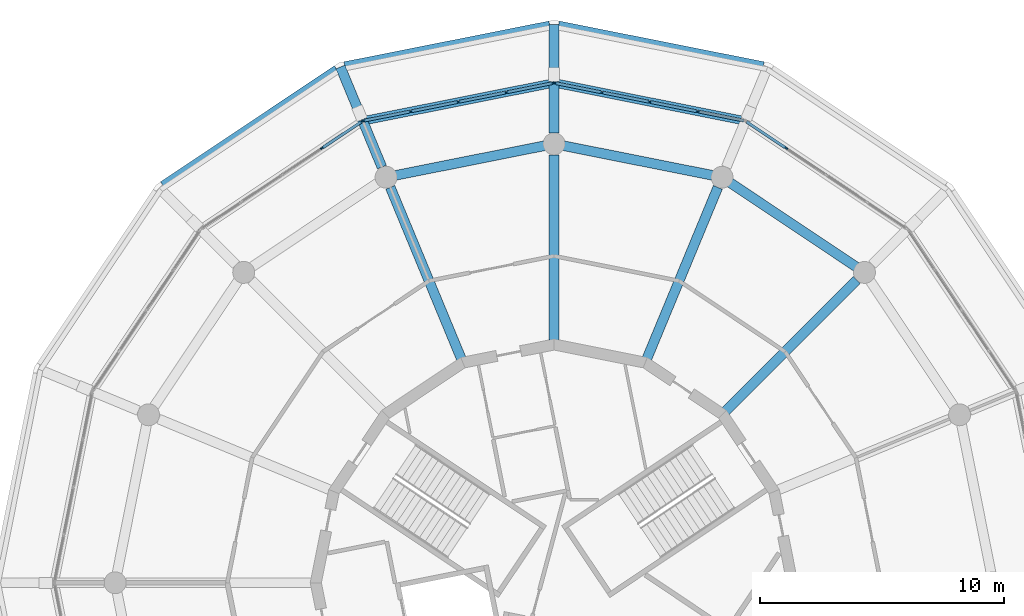
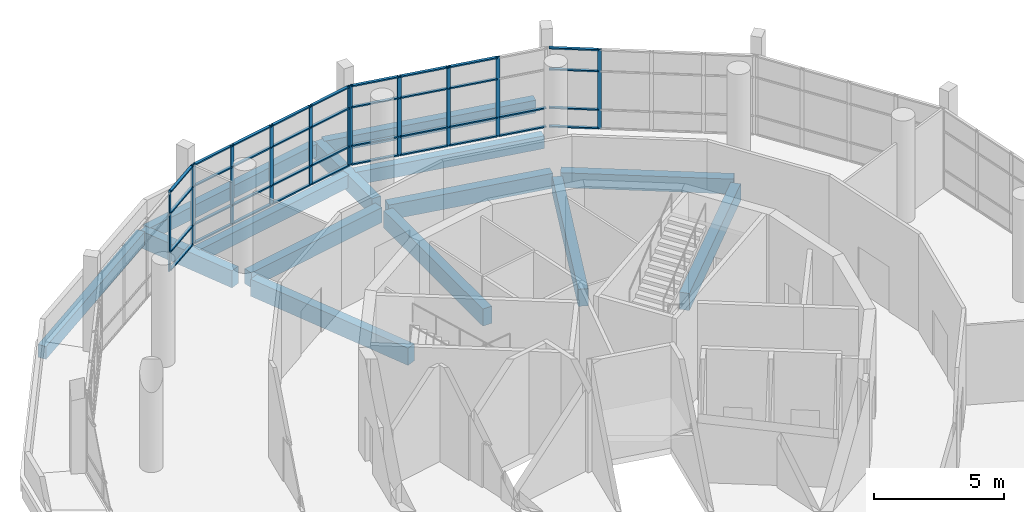
# One storey, part 9 of 21: 50 members, 14 beams, 4 elements without a shape of their own.
"""IFC4 building model written with IfcOpenShell, lengths in metres."""

from ifc_helpers import new_model, si_unit, direction, frame, origin, origin_2d, place, context, subcontext, project, spatial, rectangle, extrude, material, material_profile, profile_set, type_object, element, aggregate, save


model = new_model("IFC4")

# Units and contexts
model_context = context("Model", 3, precision=1e-05, world=origin(), true_north=direction((0.0, 1.0)))
body_context = subcontext(model_context, "Body", "Model", "MODEL_VIEW")
ifc_project = project(units=[si_unit("LENGTHUNIT", "METRE"), si_unit("AREAUNIT", "SQUARE_METRE"), si_unit("VOLUMEUNIT", "CUBIC_METRE"), si_unit("PLANEANGLEUNIT", "RADIAN"), si_unit("MASSUNIT", "GRAM", prefix="KILO")], contexts=[model_context])

# Site, building, storey
site_placement = place(None, origin())
site = spatial("IfcSite", under=ifc_project, at=site_placement, CompositionType="ELEMENT")
building_placement = place(site_placement, origin())
building = spatial("IfcBuilding", under=site, at=building_placement, Name="Ceibo Conservatory and Research Tower", CompositionType="ELEMENT")
storey_placement = place(building_placement, frame((0.0, 0.0, 15.60009765625)))
storey = spatial("IfcBuildingStorey", under=building, at=storey_placement, Name="L03", CompositionType="ELEMENT", Elevation=15.60009765625)

# Curtain wall, member
ifc_material_1 = material(Name="Aluminium and glass", Category="aluminium")
curtain_wall_type = type_object("IfcCurtainWallType", Name="Curtain wall CW1", PredefinedType="NOTDEFINED", material=ifc_material_1)
curtain_wall_1_placement = place(storey_placement, origin())
curtain_wall_1 = element("IfcCurtainWall", 1, at=curtain_wall_1_placement, inside=storey, type_object=curtain_wall_type, Name="CW-03.03", PredefinedType="NOTDEFINED")
ifc_material_2 = material(Name="Aluminium", Category="aluminium")
ifc_material_profile_1 = material_profile(ifc_material_2, rectangle(XDim=0.06005859375, YDim=0.159912109375, at=origin_2d()), Name="Aluminium 60 x 160")
ifc_profile_set_1 = profile_set([ifc_material_profile_1], Name="Aluminium")
member_type_1 = type_object("IfcMemberType", Name="Aluminium mullion 60 x 160", PredefinedType="MULLION", material=ifc_profile_set_1)
member_1_placement = place(storey_placement, frame((57.507568359375, 137.82861328125, 0.0), z_axis=(0.0, 0.0, 1.0), x_axis=(-0.555570178092, -0.831469649004, 0.0)))
member_1 = element("IfcMember", 2, at=member_1_placement, type_object=member_type_1, Name="CW-03.03 mullion 4", PredefinedType="MULLION", context=body_context, shape_type="SweptSolid", body=[
    extrude(rectangle(XDim=0.06005859375, YDim=0.159912109375, at=origin_2d()), origin(), (0.0, 0.0, 1.0), 3.719970703125),
])

# Curtain wall, members
curtain_wall_2_placement = place(storey_placement, origin())
curtain_wall_2 = element("IfcCurtainWall", 3, at=curtain_wall_2_placement, inside=storey, type_object=curtain_wall_type, Name="CW-03.04", PredefinedType="NOTDEFINED")
member_2_placement = place(storey_placement, frame((53.8837890625, 139.32958984375, 0.0), z_axis=(0.0, 0.0, 1.0), x_axis=(-0.195090380799, -0.980785268711, 0.0)))
member_2 = element("IfcMember", 4, at=member_2_placement, type_object=member_type_1, Name="CW-03.04 mullion 2", PredefinedType="MULLION", context=body_context, shape_type="SweptSolid", body=[
    extrude(rectangle(XDim=0.06005859375, YDim=0.159912109375, at=origin_2d()), origin(), (0.0, 0.0, 1.0), 3.719970703125),
])
member_3_placement = place(storey_placement, frame((51.922607421875, 139.7197265625, 0.0), z_axis=(0.0, 0.0, 1.0), x_axis=(-0.195090380799, -0.980785268711, 0.0)))
member_3 = element("IfcMember", 5, at=member_3_placement, type_object=member_type_1, Name="CW-03.04 mullion 3", PredefinedType="MULLION", context=body_context, shape_type="SweptSolid", body=[
    extrude(rectangle(XDim=0.06005859375, YDim=0.159912109375, at=origin_2d()), origin(), (0.0, 0.0, 1.0), 3.719970703125),
])
member_4_placement = place(storey_placement, frame((49.961181640625, 140.10986328125, 0.0), z_axis=(0.0, 0.0, 1.0), x_axis=(-0.195090380799, -0.980785268711, 0.0)))
member_4 = element("IfcMember", 6, at=member_4_placement, type_object=member_type_1, Name="CW-03.04 mullion 4", PredefinedType="MULLION", context=body_context, shape_type="SweptSolid", body=[
    extrude(rectangle(XDim=0.06005859375, YDim=0.159912109375, at=origin_2d()), origin(), (0.0, 0.0, 1.0), 3.719970703125),
])
member_5_placement = place(storey_placement, frame((48.029541015625, 140.494140625, 0.0), z_axis=(0.0, 0.0, 1.0), x_axis=(-0.195090380799, -0.980785268711, 0.0)))
member_5 = element("IfcMember", 7, at=member_5_placement, type_object=member_type_1, Name="CW-03.04 mullion 5", PredefinedType="MULLION", context=body_context, shape_type="SweptSolid", body=[
    extrude(rectangle(XDim=0.06005859375, YDim=0.159912109375, at=origin_2d()), origin(), (0.0, 0.0, 1.0), 3.719970703125),
])

curtain_wall_3_placement = place(storey_placement, origin())
curtain_wall_3 = element("IfcCurtainWall", 8, at=curtain_wall_3_placement, inside=storey, type_object=curtain_wall_type, Name="CW-03.05", PredefinedType="NOTDEFINED")
member_6_placement = place(storey_placement, frame((47.970458984375, 140.494140625, 0.0), z_axis=(0.0, 0.0, 1.0), x_axis=(0.195090380799, -0.980785268711, 0.0)))
member_6 = element("IfcMember", 9, at=member_6_placement, type_object=member_type_1, Name="CW-03.05 mullion 1", PredefinedType="MULLION", context=body_context, shape_type="SweptSolid", body=[
    extrude(rectangle(XDim=0.06005859375, YDim=0.159912109375, at=origin_2d()), origin(), (0.0, 0.0, 1.0), 3.719970703125),
])
member_7_placement = place(storey_placement, frame((46.038818359375, 140.10986328125, 0.0), z_axis=(0.0, 0.0, 1.0), x_axis=(0.195090380799, -0.980785268711, 0.0)))
member_7 = element("IfcMember", 10, at=member_7_placement, type_object=member_type_1, Name="CW-03.05 mullion 2", PredefinedType="MULLION", context=body_context, shape_type="SweptSolid", body=[
    extrude(rectangle(XDim=0.06005859375, YDim=0.159912109375, at=origin_2d()), origin(), (0.0, 0.0, 1.0), 3.719970703125),
])
member_8_placement = place(storey_placement, frame((44.077392578125, 139.7197265625, 0.0), z_axis=(0.0, 0.0, 1.0), x_axis=(0.195090380799, -0.980785268711, 0.0)))
member_8 = element("IfcMember", 11, at=member_8_placement, type_object=member_type_1, Name="CW-03.05 mullion 3", PredefinedType="MULLION", context=body_context, shape_type="SweptSolid", body=[
    extrude(rectangle(XDim=0.06005859375, YDim=0.159912109375, at=origin_2d()), origin(), (0.0, 0.0, 1.0), 3.719970703125),
])
member_9_placement = place(storey_placement, frame((42.1162109375, 139.32958984375, 0.0), z_axis=(0.0, 0.0, 1.0), x_axis=(0.195090380799, -0.980785268711, 0.0)))
member_9 = element("IfcMember", 12, at=member_9_placement, type_object=member_type_1, Name="CW-03.05 mullion 4", PredefinedType="MULLION", context=body_context, shape_type="SweptSolid", body=[
    extrude(rectangle(XDim=0.06005859375, YDim=0.159912109375, at=origin_2d()), origin(), (0.0, 0.0, 1.0), 3.719970703125),
])
member_10_placement = place(storey_placement, frame((40.184326171875, 138.9453125, 0.0), z_axis=(0.0, 0.0, 1.0), x_axis=(0.195090380799, -0.980785268711, 0.0)))
member_10 = element("IfcMember", 13, at=member_10_placement, type_object=member_type_1, Name="CW-03.05 mullion 5", PredefinedType="MULLION", context=body_context, shape_type="SweptSolid", body=[
    extrude(rectangle(XDim=0.06005859375, YDim=0.159912109375, at=origin_2d()), origin(), (0.0, 0.0, 1.0), 3.719970703125),
])

curtain_wall_4_placement = place(storey_placement, origin())
curtain_wall_4 = element("IfcCurtainWall", 14, at=curtain_wall_4_placement, inside=storey, type_object=curtain_wall_type, Name="CW-03.06", PredefinedType="NOTDEFINED")
member_11_placement = place(storey_placement, frame((40.130126953125, 138.9228515625, 0.0), z_axis=(0.0, 0.0, 1.0), x_axis=(0.555570178092, -0.831469649004, 0.0)))
member_11 = element("IfcMember", 15, at=member_11_placement, type_object=member_type_1, Name="CW-03.06 mullion 1", PredefinedType="MULLION", context=body_context, shape_type="SweptSolid", body=[
    extrude(rectangle(XDim=0.06005859375, YDim=0.159912109375, at=origin_2d()), origin(), (0.0, 0.0, 1.0), 3.719970703125),
])
member_12_placement = place(storey_placement, frame((38.492431640625, 137.82861328125, 0.0), z_axis=(0.0, 0.0, 1.0), x_axis=(0.555570178092, -0.831469649004, 0.0)))
member_12 = element("IfcMember", 16, at=member_12_placement, type_object=member_type_1, Name="CW-03.06 mullion 2", PredefinedType="MULLION", context=body_context, shape_type="SweptSolid", body=[
    extrude(rectangle(XDim=0.06005859375, YDim=0.159912109375, at=origin_2d()), origin(), (0.0, 0.0, 1.0), 3.719970703125),
])

# Member
ifc_material_profile_2 = material_profile(ifc_material_2, rectangle(XDim=0.1201171875, YDim=0.06005859375, at=origin_2d()), Name="Aluminium 60 x 120")
ifc_profile_set_2 = profile_set([ifc_material_profile_2], Name="Aluminium")
member_type_2 = type_object("IfcMemberType", Name="Aluminium transom 60 x 120", PredefinedType="USERDEFINED", material=ifc_profile_set_2)
member_13_placement = place(storey_placement, frame((57.482666015625, 137.84521484375, 0.02978515625), z_axis=(-0.831420334371, 0.555643975577, 0.0), x_axis=(-0.555643975577, -0.831420334371, 0.0)))
member_13 = element("IfcMember", 17, at=member_13_placement, type_object=member_type_2, Name="CW-03.03 transom 4.1", ObjectType="TRANSOM", PredefinedType="USERDEFINED", context=body_context, shape_type="SweptSolid", body=[
    extrude(rectangle(XDim=0.1201171875, YDim=0.06005859375, at=origin_2d()), origin(), (0.0, 0.0, 1.0), 1.90966796875),
])

member_14_placement = place(storey_placement, frame((57.482666015625, 137.84521484375, 0.89990234375), z_axis=(-0.831420334371, 0.555643975577, 0.0), x_axis=(-0.555643975577, -0.831420334371, 0.0)))
member_14 = element("IfcMember", 18, at=member_14_placement, type_object=member_type_2, Name="CW-03.03 transom 4.2", ObjectType="TRANSOM", PredefinedType="USERDEFINED", context=body_context, shape_type="SweptSolid", body=[
    extrude(rectangle(XDim=0.1201171875, YDim=0.06005859375, at=origin_2d()), origin(), (0.0, 0.0, 1.0), 1.90966796875),
])

member_15_placement = place(storey_placement, frame((57.482666015625, 137.84521484375, 2.699951171875), z_axis=(-0.831420334371, 0.555643975577, 0.0), x_axis=(-0.555643975577, -0.831420334371, 0.0)))
member_15 = element("IfcMember", 19, at=member_15_placement, type_object=member_type_2, Name="CW-03.03 transom 4.3", ObjectType="TRANSOM", PredefinedType="USERDEFINED", context=body_context, shape_type="SweptSolid", body=[
    extrude(rectangle(XDim=0.1201171875, YDim=0.06005859375, at=origin_2d()), origin(), (0.0, 0.0, 1.0), 1.90966796875),
])

member_16_placement = place(storey_placement, frame((57.482666015625, 137.84521484375, 3.68994140625), z_axis=(-0.831420334371, 0.555643975577, 0.0), x_axis=(-0.555643975577, -0.831420334371, 0.0)))
member_16 = element("IfcMember", 20, at=member_16_placement, type_object=member_type_2, Name="CW-03.03 transom 4.4", ObjectType="TRANSOM", PredefinedType="USERDEFINED", context=body_context, shape_type="SweptSolid", body=[
    extrude(rectangle(XDim=0.1201171875, YDim=0.06005859375, at=origin_2d()), origin(), (0.0, 0.0, 1.0), 1.90966796875),
])

aggregate(curtain_wall_1, [member_1, member_13, member_14, member_15, member_16])

member_17_placement = place(storey_placement, frame((55.7861328125, 138.951171875, 0.02978515625), z_axis=(-0.980786642434, 0.195083474499, 0.0), x_axis=(-0.195083474499, -0.980786642434, 0.0)))
member_17 = element("IfcMember", 21, at=member_17_placement, type_object=member_type_2, Name="CW-03.04 transom 1.1", ObjectType="TRANSOM", PredefinedType="USERDEFINED", context=body_context, shape_type="SweptSolid", body=[
    extrude(rectangle(XDim=0.1201171875, YDim=0.06005859375, at=origin_2d()), origin(), (0.0, 0.0, 1.0), 1.90966796875),
])

member_18_placement = place(storey_placement, frame((55.7861328125, 138.951171875, 0.89990234375), z_axis=(-0.980786642434, 0.195083474499, 0.0), x_axis=(-0.195083474499, -0.980786642434, 0.0)))
member_18 = element("IfcMember", 22, at=member_18_placement, type_object=member_type_2, Name="CW-03.04 transom 1.2", ObjectType="TRANSOM", PredefinedType="USERDEFINED", context=body_context, shape_type="SweptSolid", body=[
    extrude(rectangle(XDim=0.1201171875, YDim=0.06005859375, at=origin_2d()), origin(), (0.0, 0.0, 1.0), 1.90966796875),
])

member_19_placement = place(storey_placement, frame((53.854248046875, 139.33544921875, 0.02978515625), z_axis=(-0.980783478053, 0.195099382826, 0.0), x_axis=(-0.195099382826, -0.980783478053, 0.0)))
member_19 = element("IfcMember", 23, at=member_19_placement, type_object=member_type_2, Name="CW-03.04 transom 2.1", ObjectType="TRANSOM", PredefinedType="USERDEFINED", context=body_context, shape_type="SweptSolid", body=[
    extrude(rectangle(XDim=0.1201171875, YDim=0.06005859375, at=origin_2d()), origin(), (0.0, 0.0, 1.0), 1.939697265625),
])

member_20_placement = place(storey_placement, frame((53.854248046875, 139.33544921875, 0.89990234375), z_axis=(-0.980783478053, 0.195099382826, 0.0), x_axis=(-0.195099382826, -0.980783478053, 0.0)))
member_20 = element("IfcMember", 24, at=member_20_placement, type_object=member_type_2, Name="CW-03.04 transom 2.2", ObjectType="TRANSOM", PredefinedType="USERDEFINED", context=body_context, shape_type="SweptSolid", body=[
    extrude(rectangle(XDim=0.1201171875, YDim=0.06005859375, at=origin_2d()), origin(), (0.0, 0.0, 1.0), 1.939697265625),
])

member_21_placement = place(storey_placement, frame((53.854248046875, 139.33544921875, 2.699951171875), z_axis=(-0.980783478053, 0.195099382826, 0.0), x_axis=(-0.195099382826, -0.980783478053, 0.0)))
member_21 = element("IfcMember", 25, at=member_21_placement, type_object=member_type_2, Name="CW-03.04 transom 2.3", ObjectType="TRANSOM", PredefinedType="USERDEFINED", context=body_context, shape_type="SweptSolid", body=[
    extrude(rectangle(XDim=0.1201171875, YDim=0.06005859375, at=origin_2d()), origin(), (0.0, 0.0, 1.0), 1.939697265625),
])

member_22_placement = place(storey_placement, frame((53.854248046875, 139.33544921875, 3.68994140625), z_axis=(-0.980783478053, 0.195099382826, 0.0), x_axis=(-0.195099382826, -0.980783478053, 0.0)))
member_22 = element("IfcMember", 26, at=member_22_placement, type_object=member_type_2, Name="CW-03.04 transom 2.4", ObjectType="TRANSOM", PredefinedType="USERDEFINED", context=body_context, shape_type="SweptSolid", body=[
    extrude(rectangle(XDim=0.1201171875, YDim=0.06005859375, at=origin_2d()), origin(), (0.0, 0.0, 1.0), 1.939697265625),
])

member_23_placement = place(storey_placement, frame((51.89306640625, 139.7255859375, 0.02978515625), z_axis=(-0.980783478053, 0.195099382826, 0.0), x_axis=(-0.195099382826, -0.980783478053, 0.0)))
member_23 = element("IfcMember", 27, at=member_23_placement, type_object=member_type_2, Name="CW-03.04 transom 3.1", ObjectType="TRANSOM", PredefinedType="USERDEFINED", context=body_context, shape_type="SweptSolid", body=[
    extrude(rectangle(XDim=0.1201171875, YDim=0.06005859375, at=origin_2d()), origin(), (0.0, 0.0, 1.0), 1.939697265625),
])

member_24_placement = place(storey_placement, frame((51.89306640625, 139.7255859375, 0.89990234375), z_axis=(-0.980783478053, 0.195099382826, 0.0), x_axis=(-0.195099382826, -0.980783478053, 0.0)))
member_24 = element("IfcMember", 28, at=member_24_placement, type_object=member_type_2, Name="CW-03.04 transom 3.2", ObjectType="TRANSOM", PredefinedType="USERDEFINED", context=body_context, shape_type="SweptSolid", body=[
    extrude(rectangle(XDim=0.1201171875, YDim=0.06005859375, at=origin_2d()), origin(), (0.0, 0.0, 1.0), 1.939697265625),
])

member_25_placement = place(storey_placement, frame((51.89306640625, 139.7255859375, 2.699951171875), z_axis=(-0.980783478053, 0.195099382826, 0.0), x_axis=(-0.195099382826, -0.980783478053, 0.0)))
member_25 = element("IfcMember", 29, at=member_25_placement, type_object=member_type_2, Name="CW-03.04 transom 3.3", ObjectType="TRANSOM", PredefinedType="USERDEFINED", context=body_context, shape_type="SweptSolid", body=[
    extrude(rectangle(XDim=0.1201171875, YDim=0.06005859375, at=origin_2d()), origin(), (0.0, 0.0, 1.0), 1.939697265625),
])

member_26_placement = place(storey_placement, frame((51.89306640625, 139.7255859375, 3.68994140625), z_axis=(-0.980783478053, 0.195099382826, 0.0), x_axis=(-0.195099382826, -0.980783478053, 0.0)))
member_26 = element("IfcMember", 30, at=member_26_placement, type_object=member_type_2, Name="CW-03.04 transom 3.4", ObjectType="TRANSOM", PredefinedType="USERDEFINED", context=body_context, shape_type="SweptSolid", body=[
    extrude(rectangle(XDim=0.1201171875, YDim=0.06005859375, at=origin_2d()), origin(), (0.0, 0.0, 1.0), 1.939697265625),
])

member_27_placement = place(storey_placement, frame((49.931884765625, 140.11572265625, 0.02978515625), z_axis=(-0.980786642434, 0.195083474499, 0.0), x_axis=(-0.195083474499, -0.980786642434, 0.0)))
member_27 = element("IfcMember", 31, at=member_27_placement, type_object=member_type_2, Name="CW-03.04 transom 4.1", ObjectType="TRANSOM", PredefinedType="USERDEFINED", context=body_context, shape_type="SweptSolid", body=[
    extrude(rectangle(XDim=0.1201171875, YDim=0.06005859375, at=origin_2d()), origin(), (0.0, 0.0, 1.0), 1.90966796875),
])

member_28_placement = place(storey_placement, frame((49.931884765625, 140.11572265625, 0.89990234375), z_axis=(-0.980786642434, 0.195083474499, 0.0), x_axis=(-0.195083474499, -0.980786642434, 0.0)))
member_28 = element("IfcMember", 32, at=member_28_placement, type_object=member_type_2, Name="CW-03.04 transom 4.2", ObjectType="TRANSOM", PredefinedType="USERDEFINED", context=body_context, shape_type="SweptSolid", body=[
    extrude(rectangle(XDim=0.1201171875, YDim=0.06005859375, at=origin_2d()), origin(), (0.0, 0.0, 1.0), 1.90966796875),
])

member_29_placement = place(storey_placement, frame((49.931884765625, 140.11572265625, 2.699951171875), z_axis=(-0.980786642434, 0.195083474499, 0.0), x_axis=(-0.195083474499, -0.980786642434, 0.0)))
member_29 = element("IfcMember", 33, at=member_29_placement, type_object=member_type_2, Name="CW-03.04 transom 4.3", ObjectType="TRANSOM", PredefinedType="USERDEFINED", context=body_context, shape_type="SweptSolid", body=[
    extrude(rectangle(XDim=0.1201171875, YDim=0.06005859375, at=origin_2d()), origin(), (0.0, 0.0, 1.0), 1.90966796875),
])

member_30_placement = place(storey_placement, frame((49.931884765625, 140.11572265625, 3.68994140625), z_axis=(-0.980786642434, 0.195083474499, 0.0), x_axis=(-0.195083474499, -0.980786642434, 0.0)))
member_30 = element("IfcMember", 34, at=member_30_placement, type_object=member_type_2, Name="CW-03.04 transom 4.4", ObjectType="TRANSOM", PredefinedType="USERDEFINED", context=body_context, shape_type="SweptSolid", body=[
    extrude(rectangle(XDim=0.1201171875, YDim=0.06005859375, at=origin_2d()), origin(), (0.0, 0.0, 1.0), 1.90966796875),
])

aggregate(curtain_wall_2, [member_2, member_3, member_4, member_5, member_17, member_18, member_19, member_20, member_21, member_22, member_23, member_24, member_25, member_26, member_27, member_28, member_29, member_30])

member_31_placement = place(storey_placement, frame((47.941162109375, 140.48828125, 0.02978515625), z_axis=(-0.980786642434, -0.195083474499, 0.0), x_axis=(0.195083474499, -0.980786642434, 0.0)))
member_31 = element("IfcMember", 35, at=member_31_placement, type_object=member_type_2, Name="CW-03.05 transom 1.1", ObjectType="TRANSOM", PredefinedType="USERDEFINED", context=body_context, shape_type="SweptSolid", body=[
    extrude(rectangle(XDim=0.1201171875, YDim=0.06005859375, at=origin_2d()), origin(), (0.0, 0.0, 1.0), 1.90966796875),
])

member_32_placement = place(storey_placement, frame((47.941162109375, 140.48828125, 0.89990234375), z_axis=(-0.980786642434, -0.195083474499, 0.0), x_axis=(0.195083474499, -0.980786642434, 0.0)))
member_32 = element("IfcMember", 36, at=member_32_placement, type_object=member_type_2, Name="CW-03.05 transom 1.2", ObjectType="TRANSOM", PredefinedType="USERDEFINED", context=body_context, shape_type="SweptSolid", body=[
    extrude(rectangle(XDim=0.1201171875, YDim=0.06005859375, at=origin_2d()), origin(), (0.0, 0.0, 1.0), 1.90966796875),
])

member_33_placement = place(storey_placement, frame((47.941162109375, 140.48828125, 2.699951171875), z_axis=(-0.980786642434, -0.195083474499, 0.0), x_axis=(0.195083474499, -0.980786642434, 0.0)))
member_33 = element("IfcMember", 37, at=member_33_placement, type_object=member_type_2, Name="CW-03.05 transom 1.3", ObjectType="TRANSOM", PredefinedType="USERDEFINED", context=body_context, shape_type="SweptSolid", body=[
    extrude(rectangle(XDim=0.1201171875, YDim=0.06005859375, at=origin_2d()), origin(), (0.0, 0.0, 1.0), 1.90966796875),
])

member_34_placement = place(storey_placement, frame((47.941162109375, 140.48828125, 3.68994140625), z_axis=(-0.980786642434, -0.195083474499, 0.0), x_axis=(0.195083474499, -0.980786642434, 0.0)))
member_34 = element("IfcMember", 38, at=member_34_placement, type_object=member_type_2, Name="CW-03.05 transom 1.4", ObjectType="TRANSOM", PredefinedType="USERDEFINED", context=body_context, shape_type="SweptSolid", body=[
    extrude(rectangle(XDim=0.1201171875, YDim=0.06005859375, at=origin_2d()), origin(), (0.0, 0.0, 1.0), 1.90966796875),
])

member_35_placement = place(storey_placement, frame((46.00927734375, 140.10400390625, 0.02978515625), z_axis=(-0.980783478053, -0.195099382826, 0.0), x_axis=(0.195099382826, -0.980783478053, 0.0)))
member_35 = element("IfcMember", 39, at=member_35_placement, type_object=member_type_2, Name="CW-03.05 transom 2.1", ObjectType="TRANSOM", PredefinedType="USERDEFINED", context=body_context, shape_type="SweptSolid", body=[
    extrude(rectangle(XDim=0.1201171875, YDim=0.06005859375, at=origin_2d()), origin(), (0.0, 0.0, 1.0), 1.939697265625),
])

member_36_placement = place(storey_placement, frame((46.00927734375, 140.10400390625, 0.89990234375), z_axis=(-0.980783478053, -0.195099382826, 0.0), x_axis=(0.195099382826, -0.980783478053, 0.0)))
member_36 = element("IfcMember", 40, at=member_36_placement, type_object=member_type_2, Name="CW-03.05 transom 2.2", ObjectType="TRANSOM", PredefinedType="USERDEFINED", context=body_context, shape_type="SweptSolid", body=[
    extrude(rectangle(XDim=0.1201171875, YDim=0.06005859375, at=origin_2d()), origin(), (0.0, 0.0, 1.0), 1.939697265625),
])

member_37_placement = place(storey_placement, frame((46.00927734375, 140.10400390625, 2.699951171875), z_axis=(-0.980783478053, -0.195099382826, 0.0), x_axis=(0.195099382826, -0.980783478053, 0.0)))
member_37 = element("IfcMember", 41, at=member_37_placement, type_object=member_type_2, Name="CW-03.05 transom 2.3", ObjectType="TRANSOM", PredefinedType="USERDEFINED", context=body_context, shape_type="SweptSolid", body=[
    extrude(rectangle(XDim=0.1201171875, YDim=0.06005859375, at=origin_2d()), origin(), (0.0, 0.0, 1.0), 1.939697265625),
])

member_38_placement = place(storey_placement, frame((46.00927734375, 140.10400390625, 3.68994140625), z_axis=(-0.980783478053, -0.195099382826, 0.0), x_axis=(0.195099382826, -0.980783478053, 0.0)))
member_38 = element("IfcMember", 42, at=member_38_placement, type_object=member_type_2, Name="CW-03.05 transom 2.4", ObjectType="TRANSOM", PredefinedType="USERDEFINED", context=body_context, shape_type="SweptSolid", body=[
    extrude(rectangle(XDim=0.1201171875, YDim=0.06005859375, at=origin_2d()), origin(), (0.0, 0.0, 1.0), 1.939697265625),
])

member_39_placement = place(storey_placement, frame((44.048095703125, 139.7138671875, 0.02978515625), z_axis=(-0.980783478053, -0.195099382826, 0.0), x_axis=(0.195099382826, -0.980783478053, 0.0)))
member_39 = element("IfcMember", 43, at=member_39_placement, type_object=member_type_2, Name="CW-03.05 transom 3.1", ObjectType="TRANSOM", PredefinedType="USERDEFINED", context=body_context, shape_type="SweptSolid", body=[
    extrude(rectangle(XDim=0.1201171875, YDim=0.06005859375, at=origin_2d()), origin(), (0.0, 0.0, 1.0), 1.939697265625),
])

member_40_placement = place(storey_placement, frame((44.048095703125, 139.7138671875, 0.89990234375), z_axis=(-0.980783478053, -0.195099382826, 0.0), x_axis=(0.195099382826, -0.980783478053, 0.0)))
member_40 = element("IfcMember", 44, at=member_40_placement, type_object=member_type_2, Name="CW-03.05 transom 3.2", ObjectType="TRANSOM", PredefinedType="USERDEFINED", context=body_context, shape_type="SweptSolid", body=[
    extrude(rectangle(XDim=0.1201171875, YDim=0.06005859375, at=origin_2d()), origin(), (0.0, 0.0, 1.0), 1.939697265625),
])

member_41_placement = place(storey_placement, frame((44.048095703125, 139.7138671875, 2.699951171875), z_axis=(-0.980783478053, -0.195099382826, 0.0), x_axis=(0.195099382826, -0.980783478053, 0.0)))
member_41 = element("IfcMember", 45, at=member_41_placement, type_object=member_type_2, Name="CW-03.05 transom 3.3", ObjectType="TRANSOM", PredefinedType="USERDEFINED", context=body_context, shape_type="SweptSolid", body=[
    extrude(rectangle(XDim=0.1201171875, YDim=0.06005859375, at=origin_2d()), origin(), (0.0, 0.0, 1.0), 1.939697265625),
])

member_42_placement = place(storey_placement, frame((44.048095703125, 139.7138671875, 3.68994140625), z_axis=(-0.980783478053, -0.195099382826, 0.0), x_axis=(0.195099382826, -0.980783478053, 0.0)))
member_42 = element("IfcMember", 46, at=member_42_placement, type_object=member_type_2, Name="CW-03.05 transom 3.4", ObjectType="TRANSOM", PredefinedType="USERDEFINED", context=body_context, shape_type="SweptSolid", body=[
    extrude(rectangle(XDim=0.1201171875, YDim=0.06005859375, at=origin_2d()), origin(), (0.0, 0.0, 1.0), 1.939697265625),
])

member_43_placement = place(storey_placement, frame((42.0869140625, 139.32373046875, 0.02978515625), z_axis=(-0.980786642434, -0.195083474499, 0.0), x_axis=(0.195083474499, -0.980786642434, 0.0)))
member_43 = element("IfcMember", 47, at=member_43_placement, type_object=member_type_2, Name="CW-03.05 transom 4.1", ObjectType="TRANSOM", PredefinedType="USERDEFINED", context=body_context, shape_type="SweptSolid", body=[
    extrude(rectangle(XDim=0.1201171875, YDim=0.06005859375, at=origin_2d()), origin(), (0.0, 0.0, 1.0), 1.90966796875),
])

member_44_placement = place(storey_placement, frame((42.0869140625, 139.32373046875, 0.89990234375), z_axis=(-0.980786642434, -0.195083474499, 0.0), x_axis=(0.195083474499, -0.980786642434, 0.0)))
member_44 = element("IfcMember", 48, at=member_44_placement, type_object=member_type_2, Name="CW-03.05 transom 4.2", ObjectType="TRANSOM", PredefinedType="USERDEFINED", context=body_context, shape_type="SweptSolid", body=[
    extrude(rectangle(XDim=0.1201171875, YDim=0.06005859375, at=origin_2d()), origin(), (0.0, 0.0, 1.0), 1.90966796875),
])

member_45_placement = place(storey_placement, frame((42.0869140625, 139.32373046875, 2.699951171875), z_axis=(-0.980786642434, -0.195083474499, 0.0), x_axis=(0.195083474499, -0.980786642434, 0.0)))
member_45 = element("IfcMember", 49, at=member_45_placement, type_object=member_type_2, Name="CW-03.05 transom 4.3", ObjectType="TRANSOM", PredefinedType="USERDEFINED", context=body_context, shape_type="SweptSolid", body=[
    extrude(rectangle(XDim=0.1201171875, YDim=0.06005859375, at=origin_2d()), origin(), (0.0, 0.0, 1.0), 1.90966796875),
])

member_46_placement = place(storey_placement, frame((42.0869140625, 139.32373046875, 3.68994140625), z_axis=(-0.980786642434, -0.195083474499, 0.0), x_axis=(0.195083474499, -0.980786642434, 0.0)))
member_46 = element("IfcMember", 50, at=member_46_placement, type_object=member_type_2, Name="CW-03.05 transom 4.4", ObjectType="TRANSOM", PredefinedType="USERDEFINED", context=body_context, shape_type="SweptSolid", body=[
    extrude(rectangle(XDim=0.1201171875, YDim=0.06005859375, at=origin_2d()), origin(), (0.0, 0.0, 1.0), 1.90966796875),
])

aggregate(curtain_wall_3, [member_6, member_7, member_8, member_9, member_10, member_31, member_32, member_33, member_34, member_35, member_36, member_37, member_38, member_39, member_40, member_41, member_42, member_43, member_44, member_45, member_46])

member_47_placement = place(storey_placement, frame((40.10498046875, 138.90625, 0.02978515625), z_axis=(-0.831420334371, -0.555643975577, 0.0), x_axis=(0.555643975577, -0.831420334371, 0.0)))
member_47 = element("IfcMember", 51, at=member_47_placement, type_object=member_type_2, Name="CW-03.06 transom 1.1", ObjectType="TRANSOM", PredefinedType="USERDEFINED", context=body_context, shape_type="SweptSolid", body=[
    extrude(rectangle(XDim=0.1201171875, YDim=0.06005859375, at=origin_2d()), origin(), (0.0, 0.0, 1.0), 1.90966796875),
])

member_48_placement = place(storey_placement, frame((40.10498046875, 138.90625, 0.89990234375), z_axis=(-0.831420334371, -0.555643975577, 0.0), x_axis=(0.555643975577, -0.831420334371, 0.0)))
member_48 = element("IfcMember", 52, at=member_48_placement, type_object=member_type_2, Name="CW-03.06 transom 1.2", ObjectType="TRANSOM", PredefinedType="USERDEFINED", context=body_context, shape_type="SweptSolid", body=[
    extrude(rectangle(XDim=0.1201171875, YDim=0.06005859375, at=origin_2d()), origin(), (0.0, 0.0, 1.0), 1.90966796875),
])

member_49_placement = place(storey_placement, frame((40.10498046875, 138.90625, 2.699951171875), z_axis=(-0.831420334371, -0.555643975577, 0.0), x_axis=(0.555643975577, -0.831420334371, 0.0)))
member_49 = element("IfcMember", 53, at=member_49_placement, type_object=member_type_2, Name="CW-03.06 transom 1.3", ObjectType="TRANSOM", PredefinedType="USERDEFINED", context=body_context, shape_type="SweptSolid", body=[
    extrude(rectangle(XDim=0.1201171875, YDim=0.06005859375, at=origin_2d()), origin(), (0.0, 0.0, 1.0), 1.90966796875),
])

member_50_placement = place(storey_placement, frame((40.10498046875, 138.90625, 3.68994140625), z_axis=(-0.831420334371, -0.555643975577, 0.0), x_axis=(0.555643975577, -0.831420334371, 0.0)))
member_50 = element("IfcMember", 54, at=member_50_placement, type_object=member_type_2, Name="CW-03.06 transom 1.4", ObjectType="TRANSOM", PredefinedType="USERDEFINED", context=body_context, shape_type="SweptSolid", body=[
    extrude(rectangle(XDim=0.1201171875, YDim=0.06005859375, at=origin_2d()), origin(), (0.0, 0.0, 1.0), 1.90966796875),
])

aggregate(curtain_wall_4, [member_11, member_12, member_47, member_48, member_49, member_50])

# Beams
ifc_material_3 = material(Name="Concrete C35/45", Category="concrete")
ifc_material_profile_3 = material_profile(ifc_material_3, rectangle(XDim=0.35009765625, YDim=0.60009765625, at=origin_2d()), Name="RC 350x600")
ifc_profile_set_3 = profile_set([ifc_material_profile_3], Name="Concrete C35/45")
beam_type_1 = type_object("IfcBeamType", Name="RC beam 350x600 C35", PredefinedType="BEAM", material=ifc_profile_set_3)
for number, where, z_axis, x_axis, name in (
    (55, (55.66455078125, 138.975341796875, -0.580078125), (-0.980783190489, 0.195100828433, 0.0), (-0.195100828433, -0.980783190489, 0.0), "Edge beam 04 L03"),
    (56, (47.819580078125, 140.464111328125, -0.580078125), (-0.980783190489, -0.195100828433, 0.0), (0.195100828433, -0.980783190489, 0.0), "Edge beam 05 L03"),
):
    element("IfcBeam", number, at=place(storey_placement, frame(where, z_axis=z_axis, x_axis=x_axis)), inside=storey, type_object=beam_type_1, Name=name, PredefinedType="BEAM", context=body_context, shape_type="SweptSolid", body=[
        extrude(rectangle(XDim=0.35009765625, YDim=0.60009765625, at=origin_2d()), origin(), (0.0, 0.0, 1.0), 7.630859375),
    ])
for number, where, z_axis, x_axis, name in (
    (57, (56.5830078125, 141.192626953125, -0.580078125), (-0.980785100181, 0.195091228051, 0.0), (-0.195091228051, -0.980785100181, 0.0), "Edge beam 04 L03"),
    (58, (47.819580078125, 142.864013671875, -0.580078125), (-0.980785100181, -0.195091228051, 0.0), (0.195091228051, -0.980785100181, 0.0), "Edge beam 05 L03"),
):
    element("IfcBeam", number, at=place(storey_placement, frame(where, z_axis=z_axis, x_axis=x_axis)), inside=storey, type_object=beam_type_1, Name=name, PredefinedType="BEAM", context=body_context, shape_type="SweptSolid", body=[
        extrude(rectangle(XDim=0.35009765625, YDim=0.60009765625, at=origin_2d()), origin(), (0.0, 0.0, 1.0), 8.567138671875),
    ])
beam_1_placement = place(storey_placement, frame((39.083740234375, 141.0546875, -0.580078125), z_axis=(-0.831471143198, -0.555567941866, 0.0), x_axis=(0.555567941866, -0.831471143198, 0.0)))
element("IfcBeam", 59, at=beam_1_placement, inside=storey, type_object=beam_type_1, Name="Edge beam 06 L03", PredefinedType="BEAM", context=body_context, shape_type="SweptSolid", body=[
    extrude(rectangle(XDim=0.35009765625, YDim=0.60009765625, at=origin_2d()), origin(), (0.0, 0.0, 1.0), 8.5673828125),
])
ifc_material_profile_4 = material_profile(ifc_material_3, rectangle(XDim=0.39990234375, YDim=0.699951171875, at=origin_2d()), Name="RC 400x700")
ifc_profile_set_4 = profile_set([ifc_material_profile_4], Name="Concrete C35/45")
beam_type_2 = type_object("IfcBeamType", Name="RC beam 400x700 C35", PredefinedType="BEAM", material=ifc_profile_set_4)
beam_2_placement = place(storey_placement, frame((60.574951171875, 132.830078125, -0.630126953125), z_axis=(-0.83146854485, 0.555571830572, 0.0), x_axis=(-0.555571830572, -0.83146854485, 0.0)))
element("IfcBeam", 60, at=beam_2_placement, inside=storey, type_object=beam_type_2, Name="Ring beam 03 L03", PredefinedType="BEAM", context=body_context, shape_type="SweptSolid", body=[
    extrude(rectangle(XDim=0.39990234375, YDim=0.699951171875, at=origin_2d()), origin(), (0.0, 0.0, 1.0), 6.6552734375),
])
for number, where, z_axis, x_axis, name in (
    (61, (54.7080078125, 136.665771484375, -0.630126953125), (-0.980787526167, 0.19507903146, 0.0), (-0.19507903146, -0.980787526167, 0.0), "Ring beam 04 L03"),
    (62, (47.819580078125, 137.964111328125, -0.630126953125), (-0.980787526167, -0.19507903146, 0.0), (0.19507903146, -0.980787526167, 0.0), "Ring beam 05 L03"),
):
    element("IfcBeam", number, at=place(storey_placement, frame(where, z_axis=z_axis, x_axis=x_axis)), inside=storey, type_object=beam_type_2, Name=name, PredefinedType="BEAM", context=body_context, shape_type="SweptSolid", body=[
        extrude(rectangle(XDim=0.39990234375, YDim=0.699951171875, at=origin_2d()), origin(), (0.0, 0.0, 1.0), 6.655517578125),
    ])
ifc_material_profile_5 = material_profile(ifc_material_3, rectangle(XDim=0.39990234375, YDim=0.800048828125, at=origin_2d()), Name="RC 400x800")
ifc_profile_set_5 = profile_set([ifc_material_profile_5], Name="Concrete C35/45")
beam_type_3 = type_object("IfcBeamType", Name="RC beam 400x800 C35", PredefinedType="BEAM", material=ifc_profile_set_5)
for number, where, z_axis, x_axis, name in (
    (63, (55.03564453125, 127.03564453125, -0.68017578125), (0.707106781187, 0.707106781187, 0.0), (-0.707106781187, 0.707106781187, 0.0), "Radial beam R3 L03"),
    (64, (51.8076171875, 129.192626953125, -0.68017578125), (0.382689408283, 0.923877057182, 0.0), (-0.923877057182, 0.382689408283, 0.0), "Radial beam R4 L03"),
    (65, (48.0, 129.949951171875, -0.68017578125), (0.0, 1.0, 0.0), (-1.0, 0.0, 0.0), "Radial beam R5 L03"),
    (66, (44.1923828125, 129.192626953125, -0.68017578125), (-0.382689408283, 0.923877057182, 0.0), (-0.923877057182, -0.382689408283, 0.0), "Radial beam R6 L03"),
):
    element("IfcBeam", number, at=place(storey_placement, frame(where, z_axis=z_axis, x_axis=x_axis)), inside=storey, type_object=beam_type_3, Name=name, PredefinedType="BEAM", context=body_context, shape_type="SweptSolid", body=[
        extrude(rectangle(XDim=0.39990234375, YDim=0.800048828125, at=origin_2d()), origin(), (0.0, 0.0, 1.0), 7.60009765625),
    ])
ifc_material_profile_6 = material_profile(ifc_material_3, rectangle(XDim=0.39990234375, YDim=0.800048828125, at=origin_2d()), Name="RC 400x800")
ifc_profile_set_6 = profile_set([ifc_material_profile_6], Name="Concrete C35/45")
beam_type_4 = type_object("IfcBeamType", Name="RC cantilever beam 400x800 C35", PredefinedType="BEAM", material=ifc_profile_set_6)
for number, where, z_axis, x_axis, name in (
    (67, (48.0, 138.449951171875, -0.68017578125), (0.0, 1.0, 0.0), (-1.0, 0.0, 0.0), "Radial cantilever beam R5 L03"),
    (68, (40.939453125, 137.045654296875, -0.68017578125), (-0.382660632392, 0.92388897624, 0.0), (-0.92388897624, -0.382660632392, 0.0), "Radial cantilever beam R6 L03"),
):
    element("IfcBeam", number, at=place(storey_placement, frame(where, z_axis=z_axis, x_axis=x_axis)), inside=storey, type_object=beam_type_4, Name=name, PredefinedType="BEAM", context=body_context, shape_type="SweptSolid", body=[
        extrude(rectangle(XDim=0.39990234375, YDim=0.800048828125, at=origin_2d()), origin(), (0.0, 0.0, 1.0), 4.445068359375),
    ])

save(model, "model.ifc")
